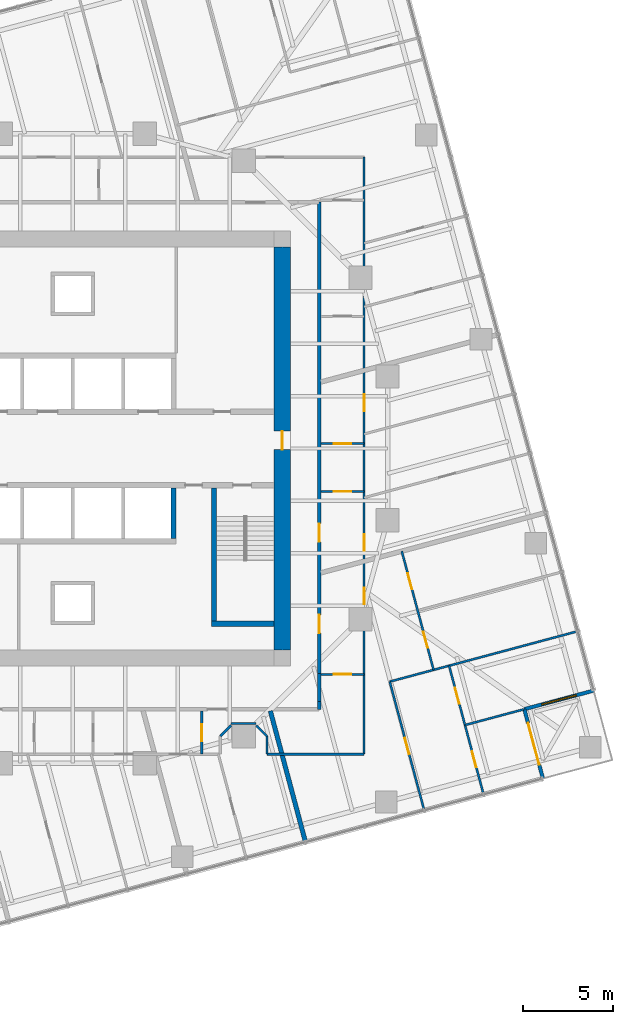
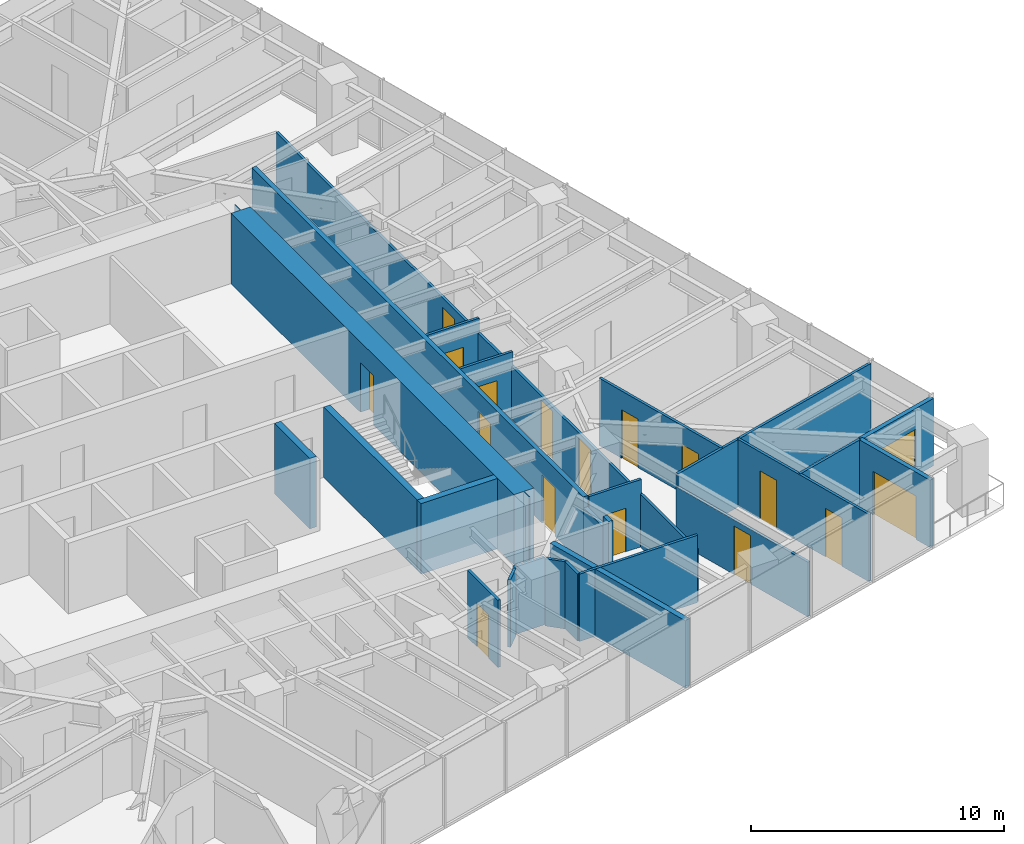
# One storey, part 10 of 14: 25 walls, 16 doors, 1 window, 17 openings.
"""IFC4 building model written with IfcOpenShell, lengths in metres."""

from ifc_helpers import new_model, si_unit, direction, frame, frame_2d, origin, place, context, subcontext, project, spatial, polyline, rectangle, outline, extrude, material, layer, layer_set, type_object, element, fill, save


model = new_model("IFC4")

# Units and contexts
model_context = context("Model", 3, precision=1e-05, world=origin(), true_north=direction((0.0, 1.0)))
body_context = subcontext(model_context, "Body", "Model", "MODEL_VIEW")
ifc_project = project(units=[si_unit("LENGTHUNIT", "METRE"), si_unit("AREAUNIT", "SQUARE_METRE"), si_unit("VOLUMEUNIT", "CUBIC_METRE"), si_unit("PLANEANGLEUNIT", "RADIAN"), si_unit("MASSUNIT", "GRAM", prefix="KILO")], contexts=[model_context])

# Site, building, storey
site_placement = place(None, origin())
site = spatial("IfcSite", under=ifc_project, at=site_placement, CompositionType="ELEMENT")
building_placement = place(site_placement, origin())
building = spatial("IfcBuilding", under=site, at=building_placement, Name="Torsade Residences", CompositionType="ELEMENT")
storey_placement = place(building_placement, frame((0.0, 0.0, 121.800048828125)))
storey = spatial("IfcBuildingStorey", under=building, at=storey_placement, Name="L33", CompositionType="ELEMENT", Elevation=121.800048828125)

# Walls
ifc_material_1 = material(Name="Concrete 80 MPa", Category="concrete")
ifc_layer_1 = layer(ifc_material_1, 0.300048828125)
ifc_layer_set_1 = layer_set([ifc_layer_1], Name="Concrete 80 MPa")
wall_type_1 = type_object("IfcWallType", Name="CORE INTERNAL WALL 300", PredefinedType="SHEAR", material=ifc_layer_set_1)
wall_1_placement = place(storey_placement, frame((45.60009765625, 27.800048828125, 0.0), z_axis=(0.0, 0.0, 1.0), x_axis=(0.0, -1.0, 0.0)))
element("IfcWall", 1, at=wall_1_placement, inside=storey, type_object=wall_type_1, Name="Core wall DS0 L33", PredefinedType="SHEAR", context=body_context, shape_type="SweptSolid", body=[
    extrude(rectangle(XDim=2.800048828125, YDim=0.300048828125, at=frame_2d((1.39990234375, 0.0))), origin(), (0.0, 0.0, 1.0), 3.39990234375),
])
wall_2_placement = place(storey_placement, frame((47.85009765625, 27.800048828125, 0.0), z_axis=(0.0, 0.0, 1.0), x_axis=(0.0, -1.0, 0.0)))
element("IfcWall", 2, at=wall_2_placement, inside=storey, type_object=wall_type_1, Name="Core wall ST2W L33", PredefinedType="SHEAR", context=body_context, shape_type="SweptSolid", body=[
    extrude(rectangle(XDim=7.699951171875, YDim=0.300048828125, at=frame_2d((3.85009765625, 0.0))), origin(), (0.0, 0.0, 1.0), 3.39990234375),
])
wall_3_placement = place(storey_placement, frame((51.199951171875, 20.25, 0.0), z_axis=(0.0, 0.0, 1.0), x_axis=(-1.0, 0.0, 0.0)))
element("IfcWall", 3, at=wall_3_placement, inside=storey, type_object=wall_type_1, Name="Core wall ST2S L33", PredefinedType="SHEAR", context=body_context, shape_type="SweptSolid", body=[
    extrude(rectangle(XDim=3.5, YDim=0.300048828125, at=frame_2d((1.75, 0.0))), origin(), (0.0, 0.0, 1.0), 3.39990234375),
])

# Wall, opening, door
ifc_material_2 = material(Name="Concrete 80 MPa", Category="concrete")
ifc_layer_2 = layer(ifc_material_2, 0.89990234375)
ifc_layer_set_2 = layer_set([ifc_layer_2], Name="Concrete 80 MPa")
wall_type_2 = type_object("IfcWallType", Name="CORE WALL 900", PredefinedType="SHEAR", material=ifc_layer_set_2)
wall_4_placement = place(storey_placement, frame((51.64990234375, 18.800048828125, 0.0), z_axis=(0.0, 0.0, 1.0), x_axis=(0.0, 1.0, 0.0)))
wall_4 = element("IfcWall", 4, at=wall_4_placement, inside=storey, type_object=wall_type_2, Name="Core wall E L33", PredefinedType="SHEAR", context=body_context, shape_type="SweptSolid", body=[
    extrude(outline(polyline([(0.0, -0.449951171875), (22.39990234375, -0.449951171875), (22.39990234375, -0.02490234375), (22.849853515625, -0.02490234375), (22.849853515625, 0.02490234375), (22.39990234375, 0.02490234375), (22.39990234375, 0.449951171875), (0.0, 0.449951171875), (0.0, 0.02490234375), (-0.449951171875, 0.02490234375), (-0.449951171875, -0.02490234375), (0.0, -0.02490234375), (0.0, -0.449951171875)])), origin(), (0.0, 0.0, 1.0), 3.39990234375),
])
opening_1_placement = place(wall_4_placement, frame((11.139892578125, 0.0, 0.0)))
opening_1 = element("IfcOpeningElement", 5, at=opening_1_placement, cuts=wall_4, Name="Opening D04", PredefinedType="OPENING", context=body_context, shape_type="SweptSolid", body=[
    extrude(rectangle(XDim=1.02001953125, YDim=2.39990234375, at=frame_2d((0.510009765625, 1.199951171875))), frame((0.0, 0.4599609375, 0.0), z_axis=(0.0, -1.0, 0.0), x_axis=(1.0, 0.0, 0.0)), (0.0, 0.0, 1.0), 0.919921875),
])
ifc_material_3 = material(Name="Steel-framed fire door", Category="steel")
door_type_1 = type_object("IfcDoorType", Name="LOBBY SMOKE DOOR 1020x2400", OperationType="NOTDEFINED", PredefinedType="DOOR", material=ifc_material_3)
door_1_placement = place(opening_1_placement, origin())
door_1 = element("IfcDoor", 6, at=door_1_placement, inside=storey, type_object=door_type_1, Name="Lift lobby door E L33", OperationType="SINGLE_SWING_LEFT", OverallHeight=2.39990234375, OverallWidth=1.02001953125, PredefinedType="DOOR", context=body_context, shape_type="SweptSolid", body=[
    extrude(rectangle(XDim=1.02001953125, YDim=2.39990234375, at=frame_2d((0.510009765625, 1.199951171875))), frame((0.0, 0.02490234375, 0.0), z_axis=(0.0, -1.0, 0.0), x_axis=(1.0, 0.0, 0.0)), (0.0, 0.0, 1.0), 0.050048828125),
])
fill(opening_1, door_1)

# Walls
ifc_material_4 = material(Name="Plasterboard on steel stud", Category="steel")
ifc_layer_3 = layer(ifc_material_4, 0.199951171875)
ifc_layer_set_3 = layer_set([ifc_layer_3], Name="Plasterboard on steel stud")
wall_type_3 = type_object("IfcWallType", Name="CORRIDOR WALL 200", PredefinedType="PARTITIONING", material=ifc_layer_set_3)
wall_5_placement = place(storey_placement, frame((53.699951171875, 15.5, 0.0), z_axis=(0.0, 0.0, 1.0), x_axis=(0.0, 1.0, 0.0)))
element("IfcWall", 7, at=wall_5_placement, inside=storey, type_object=wall_type_3, Name="Corridor wall L33", PredefinedType="PARTITIONING", context=body_context, shape_type="SweptSolid", body=[
    extrude(rectangle(XDim=0.426025390625, YDim=0.199951171875, at=frame_2d((0.212890625, 0.0))), origin(), (0.0, 0.0, 1.0), 3.25),
])
wall_6_placement = place(storey_placement, frame((53.699951171875, 15.926025390625, 0.0), z_axis=(0.0, 0.0, 1.0), x_axis=(0.0, 1.0, 0.0)))
element("IfcWall", 8, at=wall_6_placement, inside=storey, type_object=wall_type_3, Name="Corridor wall L33", PredefinedType="PARTITIONING", context=body_context, shape_type="SweptSolid", body=[
    extrude(rectangle(XDim=1.553955078125, YDim=0.199951171875, at=frame_2d((0.77685546875, 0.0))), origin(), (0.0, 0.0, 1.0), 2.721923828125),
])

# Wall, openings, doors
wall_7_placement = place(storey_placement, frame((53.699951171875, 17.47998046875, 0.0), z_axis=(0.0, 0.0, 1.0), x_axis=(0.0, 1.0, 0.0)))
wall_7 = element("IfcWall", 9, at=wall_7_placement, inside=storey, type_object=wall_type_3, Name="Corridor wall L33", PredefinedType="PARTITIONING", context=body_context, shape_type="SweptSolid", body=[
    extrude(rectangle(XDim=26.219970703125, YDim=0.199951171875, at=frame_2d((13.10986328125, 0.0))), origin(), (0.0, 0.0, 1.0), 3.25),
])
opening_2_placement = place(wall_7_placement, frame((2.251708984375, 0.0, 0.0)))
opening_2 = element("IfcOpeningElement", 10, at=opening_2_placement, cuts=wall_7, Name="Opening D01", PredefinedType="OPENING", context=body_context, shape_type="SweptSolid", body=[
    extrude(rectangle(XDim=1.02001953125, YDim=2.340087890625, at=frame_2d((0.510009765625, 1.169921875))), frame((0.0, 0.10986328125, 0.0), z_axis=(0.0, -1.0, 0.0), x_axis=(1.0, 0.0, 0.0)), (0.0, 0.0, 1.0), 0.219970703125),
])
opening_3_placement = place(wall_7_placement, frame((7.32763671875, 0.0, 0.0)))
opening_3 = element("IfcOpeningElement", 11, at=opening_3_placement, cuts=wall_7, Name="Opening D01", PredefinedType="OPENING", context=body_context, shape_type="SweptSolid", body=[
    extrude(rectangle(XDim=1.02001953125, YDim=2.340087890625, at=frame_2d((0.510009765625, 1.169921875))), frame((0.0, 0.10986328125, 0.0), z_axis=(0.0, -1.0, 0.0), x_axis=(1.0, 0.0, 0.0)), (0.0, 0.0, 1.0), 0.219970703125),
])
ifc_material_5 = material(Name="Solid-core timber fire door", Category="wood")
door_type_2 = type_object("IfcDoorType", Name="APARTMENT ENTRY DOOR 1020x2340", OperationType="NOTDEFINED", PredefinedType="DOOR", material=ifc_material_5)
door_2_placement = place(opening_2_placement, origin())
door_2 = element("IfcDoor", 12, at=door_2_placement, inside=storey, type_object=door_type_2, Name="Door Residential corridor to Kitchen and dining", OperationType="SINGLE_SWING_LEFT", OverallHeight=2.340087890625, OverallWidth=1.02001953125, PredefinedType="DOOR", context=body_context, shape_type="SweptSolid", body=[
    extrude(rectangle(XDim=1.02001953125, YDim=2.340087890625, at=frame_2d((0.510009765625, 1.169921875))), frame((0.0, 0.02490234375, 0.0), z_axis=(0.0, -1.0, 0.0), x_axis=(1.0, 0.0, 0.0)), (0.0, 0.0, 1.0), 0.050048828125),
])
fill(opening_2, door_2)
door_3_placement = place(opening_3_placement, origin())
door_3 = element("IfcDoor", 13, at=door_3_placement, inside=storey, type_object=door_type_2, Name="Door Residential corridor to Kitchen and dining", OperationType="SINGLE_SWING_LEFT", OverallHeight=2.340087890625, OverallWidth=1.02001953125, PredefinedType="DOOR", context=body_context, shape_type="SweptSolid", body=[
    extrude(rectangle(XDim=1.02001953125, YDim=2.340087890625, at=frame_2d((0.510009765625, 1.169921875))), frame((0.0, 0.02490234375, 0.0), z_axis=(0.0, -1.0, 0.0), x_axis=(1.0, 0.0, 0.0)), (0.0, 0.0, 1.0), 0.050048828125),
])
fill(opening_3, door_3)

# Wall, opening, door
ifc_material_6 = material(Name="Plasterboard on steel stud", Category="steel")
ifc_layer_4 = layer(ifc_material_6, 0.1201171875)
ifc_layer_set_4 = layer_set([ifc_layer_4], Name="Plasterboard on steel stud")
wall_type_4 = type_object("IfcWallType", Name="PARTITION 120", PredefinedType="PARTITIONING", material=ifc_layer_set_4)
wall_8_placement = place(storey_placement, frame((47.1669921875, 13.0, 0.0), z_axis=(0.0, 0.0, 1.0), x_axis=(0.0, 1.0, 0.0)))
wall_8 = element("IfcWall", 14, at=wall_8_placement, inside=storey, type_object=wall_type_4, Name="Partition L33", PredefinedType="PARTITIONING", context=body_context, shape_type="SweptSolid", body=[
    extrude(rectangle(XDim=2.39990234375, YDim=0.1201171875, at=frame_2d((1.199951171875, 0.0))), origin(), (0.0, 0.0, 1.0), 3.25),
])
opening_4_placement = place(wall_8_placement, frame((0.719970703125, 0.0, 0.0)))
opening_4 = element("IfcOpeningElement", 15, at=opening_4_placement, cuts=wall_8, Name="Opening D05", PredefinedType="OPENING", context=body_context, shape_type="SweptSolid", body=[
    extrude(rectangle(XDim=0.9599609375, YDim=2.10009765625, at=frame_2d((0.47998046875, 1.050048828125))), frame((0.0, 0.070068359375, 0.0), z_axis=(0.0, -1.0, 0.0), x_axis=(1.0, 0.0, 0.0)), (0.0, 0.0, 1.0), 0.14013671875),
])
ifc_material_7 = material(Name="Hollow-core timber door in a steel cavity frame", Category="steel")
door_type_3 = type_object("IfcDoorType", Name="BATHROOM CAVITY SLIDING DOOR 960", OperationType="SLIDING_TO_LEFT", PredefinedType="DOOR", material=ifc_material_7)
door_4_placement = place(opening_4_placement, origin())
door_4 = element("IfcDoor", 16, at=door_4_placement, inside=storey, type_object=door_type_3, Name="Door Kitchen and dining to Bathroom", OperationType="SLIDING_TO_LEFT", OverallHeight=2.10009765625, OverallWidth=0.9599609375, PredefinedType="DOOR", context=body_context, shape_type="SweptSolid", body=[
    extrude(rectangle(XDim=0.9599609375, YDim=2.10009765625, at=frame_2d((0.47998046875, 1.050048828125))), frame((0.0, 0.02490234375, 0.0), z_axis=(0.0, -1.0, 0.0), x_axis=(1.0, 0.0, 0.0)), (0.0, 0.0, 1.0), 0.050048828125),
])
fill(opening_4, door_4)

# Walls
wall_9_placement = place(storey_placement, frame((56.199951171875, 13.0, 0.0), z_axis=(0.0, 0.0, 1.0), x_axis=(-1.0, 0.0, 0.0)))
element("IfcWall", 17, at=wall_9_placement, inside=storey, type_object=wall_type_4, Name="Partition L33", PredefinedType="PARTITIONING", context=body_context, shape_type="SweptSolid", body=[
    extrude(rectangle(XDim=5.39990234375, YDim=0.1201171875, at=frame_2d((2.699951171875, 0.0))), origin(), (0.0, 0.0, 1.0), 3.25),
])
wall_10_placement = place(storey_placement, frame((50.800048828125, 13.0, 0.0), z_axis=(0.0, 0.0, 1.0), x_axis=(0.0, 1.0, 0.0)))
element("IfcWall", 18, at=wall_10_placement, inside=storey, type_object=wall_type_4, Name="Partition L33", PredefinedType="PARTITIONING", context=body_context, shape_type="SweptSolid", body=[
    extrude(rectangle(XDim=1.0, YDim=0.1201171875, at=frame_2d((0.5, 0.0))), origin(), (0.0, 0.0, 1.0), 3.25),
])
wall_11_placement = place(storey_placement, frame((50.800048828125, 14.0, 0.0), z_axis=(0.0, 0.0, 1.0), x_axis=(-0.707106781187, 0.707106781187, 0.0)))
element("IfcWall", 19, at=wall_11_placement, inside=storey, type_object=wall_type_4, Name="Partition L33", PredefinedType="PARTITIONING", context=body_context, shape_type="SweptSolid", body=[
    extrude(rectangle(XDim=0.8486328125, YDim=0.1201171875, at=frame_2d((0.42431640625, 0.0))), origin(), (0.0, 0.0, 1.0), 3.25),
])
wall_12_placement = place(storey_placement, frame((50.199951171875, 14.699951171875, 0.0), z_axis=(0.0, 0.0, 1.0), x_axis=(-1.0, 0.0, 0.0)))
element("IfcWall", 20, at=wall_12_placement, inside=storey, type_object=wall_type_4, Name="Partition L33", PredefinedType="PARTITIONING", context=body_context, shape_type="SweptSolid", body=[
    extrude(rectangle(XDim=1.39990234375, YDim=0.1201171875, at=frame_2d((0.699951171875, 0.0))), origin(), (0.0, 0.0, 1.0), 3.25),
])
wall_13_placement = place(storey_placement, frame((48.800048828125, 14.60009765625, 0.0), z_axis=(0.0, 0.0, 1.0), x_axis=(-0.707106781187, -0.707106781187, 0.0)))
element("IfcWall", 21, at=wall_13_placement, inside=storey, type_object=wall_type_4, Name="Partition L33", PredefinedType="PARTITIONING", context=body_context, shape_type="SweptSolid", body=[
    extrude(rectangle(XDim=0.8486328125, YDim=0.1201171875, at=frame_2d((0.42431640625, 0.0))), origin(), (0.0, 0.0, 1.0), 3.25),
])

# Wall, opening, door
wall_14_placement = place(storey_placement, frame((56.199951171875, 17.441650390625, 0.0), z_axis=(0.0, 0.0, 1.0), x_axis=(-1.0, 0.0, 0.0)))
wall_14 = element("IfcWall", 22, at=wall_14_placement, inside=storey, type_object=wall_type_4, Name="Partition L33", PredefinedType="PARTITIONING", context=body_context, shape_type="SweptSolid", body=[
    extrude(rectangle(XDim=2.39990234375, YDim=0.1201171875, at=frame_2d((1.199951171875, 0.0))), origin(), (0.0, 0.0, 1.0), 3.25),
])
opening_5_placement = place(wall_14_placement, frame((0.719970703125, 0.0, 0.0)))
opening_5 = element("IfcOpeningElement", 23, at=opening_5_placement, cuts=wall_14, Name="Opening D05", PredefinedType="OPENING", context=body_context, shape_type="SweptSolid", body=[
    extrude(rectangle(XDim=0.9599609375, YDim=2.10009765625, at=frame_2d((0.47998046875, 1.050048828125))), frame((0.0, 0.070068359375, 0.0), z_axis=(0.0, -1.0, 0.0), x_axis=(1.0, 0.0, 0.0)), (0.0, 0.0, 1.0), 0.14013671875),
])
door_5_placement = place(opening_5_placement, origin())
door_5 = element("IfcDoor", 24, at=door_5_placement, inside=storey, type_object=door_type_3, Name="Door Kitchen and dining to Bathroom", OperationType="SLIDING_TO_LEFT", OverallHeight=2.10009765625, OverallWidth=0.9599609375, PredefinedType="DOOR", context=body_context, shape_type="SweptSolid", body=[
    extrude(rectangle(XDim=0.9599609375, YDim=2.10009765625, at=frame_2d((0.47998046875, 1.050048828125))), frame((0.0, 0.02490234375, 0.0), z_axis=(0.0, -1.0, 0.0), x_axis=(1.0, 0.0, 0.0)), (0.0, 0.0, 1.0), 0.050048828125),
])
fill(opening_5, door_5)

# Wall, openings, doors
wall_15_placement = place(storey_placement, frame((56.199951171875, 46.199951171875, 0.0), z_axis=(0.0, 0.0, 1.0), x_axis=(0.0, -1.0, 0.0)))
wall_15 = element("IfcWall", 25, at=wall_15_placement, inside=storey, type_object=wall_type_4, Name="Partition L33", PredefinedType="PARTITIONING", context=body_context, shape_type="SweptSolid", body=[
    extrude(rectangle(XDim=33.199951171875, YDim=0.1201171875, at=frame_2d((16.60009765625, 0.0))), origin(), (0.0, 0.0, 1.0), 2.550048828125),
])
opening_6_placement = place(wall_15_placement, frame((23.95458984375, 0.0, 0.0)))
opening_6 = element("IfcOpeningElement", 26, at=opening_6_placement, cuts=wall_15, Name="Opening D02", PredefinedType="OPENING", context=body_context, shape_type="SweptSolid", body=[
    extrude(rectangle(XDim=0.919921875, YDim=2.340087890625, at=frame_2d((0.4599609375, 1.169921875))), frame((0.0, 0.070068359375, 0.0), z_axis=(0.0, -1.0, 0.0), x_axis=(1.0, 0.0, 0.0)), (0.0, 0.0, 1.0), 0.14013671875),
])
opening_7_placement = place(wall_15_placement, frame((20.96630859375, 0.0, 0.0)))
opening_7 = element("IfcOpeningElement", 27, at=opening_7_placement, cuts=wall_15, Name="Opening D02", PredefinedType="OPENING", context=body_context, shape_type="SweptSolid", body=[
    extrude(rectangle(XDim=0.919921875, YDim=2.340087890625, at=frame_2d((0.4599609375, 1.169921875))), frame((0.0, 0.070068359375, 0.0), z_axis=(0.0, -1.0, 0.0), x_axis=(1.0, 0.0, 0.0)), (0.0, 0.0, 1.0), 0.14013671875),
])
opening_8_placement = place(wall_15_placement, frame((13.173828125, 0.0, 0.0)))
opening_8 = element("IfcOpeningElement", 28, at=opening_8_placement, cuts=wall_15, Name="Opening D05", PredefinedType="OPENING", context=body_context, shape_type="SweptSolid", body=[
    extrude(rectangle(XDim=0.9599609375, YDim=2.10009765625, at=frame_2d((0.47998046875, 1.050048828125))), frame((0.0, 0.070068359375, 0.0), z_axis=(0.0, -1.0, 0.0), x_axis=(1.0, 0.0, 0.0)), (0.0, 0.0, 1.0), 0.14013671875),
])
door_6_placement = place(opening_8_placement, origin())
door_6 = element("IfcDoor", 29, at=door_6_placement, inside=storey, type_object=door_type_3, Name="Door Bathroom to Bedroom 2", OperationType="SLIDING_TO_LEFT", OverallHeight=2.10009765625, OverallWidth=0.9599609375, PredefinedType="DOOR", context=body_context, shape_type="SweptSolid", body=[
    extrude(rectangle(XDim=0.9599609375, YDim=2.10009765625, at=frame_2d((0.47998046875, 1.050048828125))), frame((0.0, 0.02490234375, 0.0), z_axis=(0.0, -1.0, 0.0), x_axis=(1.0, 0.0, 0.0)), (0.0, 0.0, 1.0), 0.050048828125),
])
fill(opening_8, door_6)
ifc_material_8 = material(Name="Hollow-core timber door", Category="wood")
door_type_4 = type_object("IfcDoorType", Name="INTERNAL DOOR 920x2340", OperationType="NOTDEFINED", PredefinedType="DOOR", material=ifc_material_8)
door_7_placement = place(opening_6_placement, origin())
door_7 = element("IfcDoor", 30, at=door_7_placement, inside=storey, type_object=door_type_4, Name="Door Kitchen and dining to Living room", OperationType="SINGLE_SWING_RIGHT", OverallHeight=2.340087890625, OverallWidth=0.919921875, PredefinedType="DOOR", context=body_context, shape_type="SweptSolid", body=[
    extrude(rectangle(XDim=0.919921875, YDim=2.340087890625, at=frame_2d((0.4599609375, 1.169921875))), frame((0.0, 0.02490234375, 0.0), z_axis=(0.0, -1.0, 0.0), x_axis=(1.0, 0.0, 0.0)), (0.0, 0.0, 1.0), 0.050048828125),
])
fill(opening_6, door_7)
door_8_placement = place(opening_7_placement, origin())
door_8 = element("IfcDoor", 31, at=door_8_placement, inside=storey, type_object=door_type_4, Name="Door Kitchen and dining to Living room", OperationType="SINGLE_SWING_RIGHT", OverallHeight=2.340087890625, OverallWidth=0.919921875, PredefinedType="DOOR", context=body_context, shape_type="SweptSolid", body=[
    extrude(rectangle(XDim=0.919921875, YDim=2.340087890625, at=frame_2d((0.4599609375, 1.169921875))), frame((0.0, 0.02490234375, 0.0), z_axis=(0.0, -1.0, 0.0), x_axis=(1.0, 0.0, 0.0)), (0.0, 0.0, 1.0), 0.050048828125),
])
fill(opening_7, door_8)

wall_16_placement = place(storey_placement, frame((58.2919921875, 24.289794921875, 0.0), z_axis=(0.0, 0.0, 1.0), x_axis=(0.258809899302, -0.965928276853, 0.0)))
wall_16 = element("IfcWall", 32, at=wall_16_placement, inside=storey, type_object=wall_type_4, Name="Partition L33", PredefinedType="PARTITIONING", context=body_context, shape_type="SweptSolid", body=[
    extrude(rectangle(XDim=6.83349609375, YDim=0.1201171875, at=frame_2d((3.416748046875, 0.0))), origin(), (0.0, 0.0, 1.0), 3.25),
])
opening_9_placement = place(wall_16_placement, frame((1.2734375, 0.0, 0.0)))
opening_9 = element("IfcOpeningElement", 33, at=opening_9_placement, cuts=wall_16, Name="Opening D02", PredefinedType="OPENING", context=body_context, shape_type="SweptSolid", body=[
    extrude(rectangle(XDim=0.919921875, YDim=2.340087890625, at=frame_2d((0.4599609375, 1.169921875))), frame((0.0, 0.070068359375, 0.0), z_axis=(0.0, -1.0, 0.0), x_axis=(1.0, 0.0, 0.0)), (0.0, 0.0, 1.0), 0.14013671875),
])
opening_10_placement = place(wall_16_placement, frame((4.639892578125, 0.0, 0.0)))
opening_10 = element("IfcOpeningElement", 34, at=opening_10_placement, cuts=wall_16, Name="Opening D02", PredefinedType="OPENING", context=body_context, shape_type="SweptSolid", body=[
    extrude(rectangle(XDim=0.919921875, YDim=2.340087890625, at=frame_2d((0.4599609375, 1.169921875))), frame((0.0, 0.070068359375, 0.0), z_axis=(0.0, -1.0, 0.0), x_axis=(1.0, 0.0, 0.0)), (0.0, 0.0, 1.0), 0.14013671875),
])
door_9_placement = place(opening_9_placement, origin())
door_9 = element("IfcDoor", 35, at=door_9_placement, inside=storey, type_object=door_type_4, Name="Door Living room to Bedroom 1", OperationType="SINGLE_SWING_LEFT", OverallHeight=2.340087890625, OverallWidth=0.919921875, PredefinedType="DOOR", context=body_context, shape_type="SweptSolid", body=[
    extrude(rectangle(XDim=0.919921875, YDim=2.340087890625, at=frame_2d((0.4599609375, 1.169921875))), frame((0.0, 0.02490234375, 0.0), z_axis=(0.0, -1.0, 0.0), x_axis=(1.0, 0.0, 0.0)), (0.0, 0.0, 1.0), 0.050048828125),
])
fill(opening_9, door_9)
door_10_placement = place(opening_10_placement, origin())
door_10 = element("IfcDoor", 36, at=door_10_placement, inside=storey, type_object=door_type_4, Name="Door Living room to Bedroom 2", OperationType="SINGLE_SWING_LEFT", OverallHeight=2.340087890625, OverallWidth=0.919921875, PredefinedType="DOOR", context=body_context, shape_type="SweptSolid", body=[
    extrude(rectangle(XDim=0.919921875, YDim=2.340087890625, at=frame_2d((0.4599609375, 1.169921875))), frame((0.0, 0.02490234375, 0.0), z_axis=(0.0, -1.0, 0.0), x_axis=(1.0, 0.0, 0.0)), (0.0, 0.0, 1.0), 0.050048828125),
])
fill(opening_10, door_10)

# Wall
wall_17_placement = place(storey_placement, frame((68.048095703125, 19.82958984375, 0.0), z_axis=(0.0, 0.0, 1.0), x_axis=(-0.965921496576, -0.258835203272, 0.0)))
element("IfcWall", 37, at=wall_17_placement, inside=storey, type_object=wall_type_4, Name="Partition L33", PredefinedType="PARTITIONING", context=body_context, shape_type="SweptSolid", body=[
    extrude(rectangle(XDim=10.79345703125, YDim=0.1201171875, at=frame_2d((5.396728515625, 0.0))), origin(), (0.0, 0.0, 1.0), 3.25),
])

# Wall, opening, door
wall_18_placement = place(storey_placement, frame((57.62255859375, 17.035888671875, 0.0), z_axis=(0.0, 0.0, 1.0), x_axis=(0.258816044185, -0.965926630377, 0.0)))
wall_18 = element("IfcWall", 38, at=wall_18_placement, inside=storey, type_object=wall_type_4, Name="Partition L33", PredefinedType="PARTITIONING", context=body_context, shape_type="SweptSolid", body=[
    extrude(rectangle(XDim=7.376708984375, YDim=0.1201171875, at=frame_2d((3.6884765625, 0.0))), origin(), (0.0, 0.0, 1.0), 2.637939453125),
])
opening_11_placement = place(wall_18_placement, frame((3.248291015625, 0.0, 0.0)))
opening_11 = element("IfcOpeningElement", 39, at=opening_11_placement, cuts=wall_18, Name="Opening D02", PredefinedType="OPENING", context=body_context, shape_type="SweptSolid", body=[
    extrude(rectangle(XDim=0.919921875, YDim=2.340087890625, at=frame_2d((0.4599609375, 1.169921875))), frame((0.0, 0.070068359375, 0.0), z_axis=(0.0, -1.0, 0.0), x_axis=(1.0, 0.0, 0.0)), (0.0, 0.0, 1.0), 0.14013671875),
])
door_11_placement = place(opening_11_placement, origin())
door_11 = element("IfcDoor", 40, at=door_11_placement, inside=storey, type_object=door_type_4, Name="Door Living room to Bedroom 3", OperationType="SINGLE_SWING_RIGHT", OverallHeight=2.340087890625, OverallWidth=0.919921875, PredefinedType="DOOR", context=body_context, shape_type="SweptSolid", body=[
    extrude(rectangle(XDim=0.919921875, YDim=2.340087890625, at=frame_2d((0.4599609375, 1.169921875))), frame((0.0, 0.02490234375, 0.0), z_axis=(0.0, -1.0, 0.0), x_axis=(1.0, 0.0, 0.0)), (0.0, 0.0, 1.0), 0.050048828125),
])
fill(opening_11, door_11)

# Wall, openings, doors
wall_19_placement = place(storey_placement, frame((60.922607421875, 17.920166015625, 0.0), z_axis=(0.0, 0.0, 1.0), x_axis=(0.258846923464, -0.965918355874, 0.0)))
wall_19 = element("IfcWall", 41, at=wall_19_placement, inside=storey, type_object=wall_type_4, Name="Partition L33", PredefinedType="PARTITIONING", context=body_context, shape_type="SweptSolid", body=[
    extrude(rectangle(XDim=7.376708984375, YDim=0.1201171875, at=frame_2d((3.6884765625, 0.0))), origin(), (0.0, 0.0, 1.0), 3.25),
])
opening_12_placement = place(wall_19_placement, frame((4.931640625, 0.0, 0.0)))
opening_12 = element("IfcOpeningElement", 42, at=opening_12_placement, cuts=wall_19, Name="Opening D02", PredefinedType="OPENING", context=body_context, shape_type="SweptSolid", body=[
    extrude(rectangle(XDim=0.919921875, YDim=2.340087890625, at=frame_2d((0.4599609375, 1.169921875))), frame((0.0, 0.070068359375, 0.0), z_axis=(0.0, -1.0, 0.0), x_axis=(1.0, 0.0, 0.0)), (0.0, 0.0, 1.0), 0.14013671875),
])
opening_13_placement = place(wall_19_placement, frame((1.2734375, 0.0, 0.0)))
opening_13 = element("IfcOpeningElement", 43, at=opening_13_placement, cuts=wall_19, Name="Opening D02", PredefinedType="OPENING", context=body_context, shape_type="SweptSolid", body=[
    extrude(rectangle(XDim=0.919921875, YDim=2.340087890625, at=frame_2d((0.4599609375, 1.169921875))), frame((0.0, 0.070068359375, 0.0), z_axis=(0.0, -1.0, 0.0), x_axis=(1.0, 0.0, 0.0)), (0.0, 0.0, 1.0), 0.14013671875),
])
door_12_placement = place(opening_12_placement, origin())
door_12 = element("IfcDoor", 44, at=door_12_placement, inside=storey, type_object=door_type_4, Name="Door Bedroom 3 to Family room", OperationType="SINGLE_SWING_LEFT", OverallHeight=2.340087890625, OverallWidth=0.919921875, PredefinedType="DOOR", context=body_context, shape_type="SweptSolid", body=[
    extrude(rectangle(XDim=0.919921875, YDim=2.340087890625, at=frame_2d((0.4599609375, 1.169921875))), frame((0.0, 0.02490234375, 0.0), z_axis=(0.0, -1.0, 0.0), x_axis=(1.0, 0.0, 0.0)), (0.0, 0.0, 1.0), 0.050048828125),
])
fill(opening_12, door_12)
door_13_placement = place(opening_13_placement, origin())
door_13 = element("IfcDoor", 45, at=door_13_placement, inside=storey, type_object=door_type_4, Name="Door Bedroom 3 to Study", OperationType="SINGLE_SWING_RIGHT", OverallHeight=2.340087890625, OverallWidth=0.919921875, PredefinedType="DOOR", context=body_context, shape_type="SweptSolid", body=[
    extrude(rectangle(XDim=0.919921875, YDim=2.340087890625, at=frame_2d((0.4599609375, 1.169921875))), frame((0.0, 0.02490234375, 0.0), z_axis=(0.0, -1.0, 0.0), x_axis=(1.0, 0.0, 0.0)), (0.0, 0.0, 1.0), 0.050048828125),
])
fill(opening_13, door_13)

# Wall
wall_20_placement = place(storey_placement, frame((65.068603515625, 15.493896484375, 0.0), z_axis=(0.0, 0.0, 1.0), x_axis=(-0.96593546512, -0.258783069815, 0.0)))
element("IfcWall", 46, at=wall_20_placement, inside=storey, type_object=wall_type_4, Name="Partition L33", PredefinedType="PARTITIONING", context=body_context, shape_type="SweptSolid", body=[
    extrude(rectangle(XDim=3.37646484375, YDim=0.1201171875, at=frame_2d((1.688232421875, 0.0))), origin(), (0.0, 0.0, 1.0), 3.25),
])

# Wall, opening, door
wall_21_placement = place(storey_placement, frame((53.800048828125, 27.611083984375, 0.0), z_axis=(0.0, 0.0, 1.0), x_axis=(1.0, 0.0, 0.0)))
wall_21 = element("IfcWall", 47, at=wall_21_placement, inside=storey, type_object=wall_type_4, Name="Partition L33", PredefinedType="PARTITIONING", context=body_context, shape_type="SweptSolid", body=[
    extrude(rectangle(XDim=2.39990234375, YDim=0.1201171875, at=frame_2d((1.199951171875, 0.0))), origin(), (0.0, 0.0, 1.0), 3.25),
])
opening_14_placement = place(wall_21_placement, frame((0.719970703125, 0.0, 0.0)))
opening_14 = element("IfcOpeningElement", 48, at=opening_14_placement, cuts=wall_21, Name="Opening D05", PredefinedType="OPENING", context=body_context, shape_type="SweptSolid", body=[
    extrude(rectangle(XDim=0.9599609375, YDim=2.10009765625, at=frame_2d((0.47998046875, 1.050048828125))), frame((0.0, 0.070068359375, 0.0), z_axis=(0.0, -1.0, 0.0), x_axis=(1.0, 0.0, 0.0)), (0.0, 0.0, 1.0), 0.14013671875),
])
door_14_placement = place(opening_14_placement, origin())
door_14 = element("IfcDoor", 49, at=door_14_placement, inside=storey, type_object=door_type_3, Name="Door Kitchen and dining to Ensuite", OperationType="SLIDING_TO_LEFT", OverallHeight=2.10009765625, OverallWidth=0.9599609375, PredefinedType="DOOR", context=body_context, shape_type="SweptSolid", body=[
    extrude(rectangle(XDim=0.9599609375, YDim=2.10009765625, at=frame_2d((0.47998046875, 1.050048828125))), frame((0.0, 0.02490234375, 0.0), z_axis=(0.0, -1.0, 0.0), x_axis=(1.0, 0.0, 0.0)), (0.0, 0.0, 1.0), 0.050048828125),
])
fill(opening_14, door_14)

wall_22_placement = place(storey_placement, frame((56.199951171875, 30.272216796875, 0.0), z_axis=(0.0, 0.0, 1.0), x_axis=(-1.0, 0.0, 0.0)))
wall_22 = element("IfcWall", 50, at=wall_22_placement, inside=storey, type_object=wall_type_4, Name="Partition L33", PredefinedType="PARTITIONING", context=body_context, shape_type="SweptSolid", body=[
    extrude(rectangle(XDim=2.39990234375, YDim=0.1201171875, at=frame_2d((1.199951171875, 0.0))), origin(), (0.0, 0.0, 1.0), 3.25),
])
opening_15_placement = place(wall_22_placement, frame((0.719970703125, 0.0, 0.0)))
opening_15 = element("IfcOpeningElement", 51, at=opening_15_placement, cuts=wall_22, Name="Opening D05", PredefinedType="OPENING", context=body_context, shape_type="SweptSolid", body=[
    extrude(rectangle(XDim=0.9599609375, YDim=2.10009765625, at=frame_2d((0.47998046875, 1.050048828125))), frame((0.0, 0.070068359375, 0.0), z_axis=(0.0, -1.0, 0.0), x_axis=(1.0, 0.0, 0.0)), (0.0, 0.0, 1.0), 0.14013671875),
])
door_15_placement = place(opening_15_placement, origin())
door_15 = element("IfcDoor", 52, at=door_15_placement, inside=storey, type_object=door_type_3, Name="Door Ensuite to Bathroom", OperationType="SLIDING_TO_LEFT", OverallHeight=2.10009765625, OverallWidth=0.9599609375, PredefinedType="DOOR", context=body_context, shape_type="SweptSolid", body=[
    extrude(rectangle(XDim=0.9599609375, YDim=2.10009765625, at=frame_2d((0.47998046875, 1.050048828125))), frame((0.0, 0.02490234375, 0.0), z_axis=(0.0, -1.0, 0.0), x_axis=(1.0, 0.0, 0.0)), (0.0, 0.0, 1.0), 0.050048828125),
])
fill(opening_15, door_15)

# Wall
ifc_material_9 = material(Name="Masonry-lined stud party wall", Category="masonry")
ifc_layer_5 = layer(ifc_material_9, 0.25)
ifc_layer_set_5 = layer_set([ifc_layer_5], Name="Masonry-lined stud party wall")
wall_type_5 = type_object("IfcWallType", Name="PARTY WALL 250", PredefinedType="PARTITIONING", material=ifc_layer_set_5)
wall_23_placement = place(storey_placement, frame((52.941650390625, 8.103515625, 0.0), z_axis=(0.0, 0.0, 1.0), x_axis=(-0.258822171171, 0.965924988656, 0.0)))
element("IfcWall", 53, at=wall_23_placement, inside=storey, type_object=wall_type_5, Name="Party wall L33", PredefinedType="PARTITIONING", context=body_context, shape_type="SweptSolid", body=[
    extrude(rectangle(XDim=7.560302734375, YDim=0.25, at=frame_2d((3.7802734375, 0.0))), origin(), (0.0, 0.0, 1.0), 3.25),
])

# Wall, opening, door
ifc_material_10 = material(Name="Stone-faced precast concrete 40 MPa panel", Category="masonry")
ifc_layer_6 = layer(ifc_material_10, 0.199951171875)
ifc_layer_set_6 = layer_set([ifc_layer_6], Name="Stone-faced precast concrete 40 MPa panel")
wall_type_6 = type_object("IfcWallType", Name="TERRACE WALL 200", PredefinedType="SOLIDWALL", material=ifc_layer_set_6)
wall_24_placement = place(storey_placement, frame((66.142578125, 11.640625, 0.0), z_axis=(0.0, 0.0, 1.0), x_axis=(-0.258843877716, 0.965919172068, 0.0)))
wall_24 = element("IfcWall", 54, at=wall_24_placement, inside=storey, type_object=wall_type_6, Name="Terrace wall L33 2", PredefinedType="SOLIDWALL", context=body_context, shape_type="SweptSolid", body=[
    extrude(rectangle(XDim=4.0, YDim=0.199951171875, at=frame_2d((2.0, 0.0))), origin(), (0.0, 0.0, 1.0), 3.25),
])
opening_16_placement = place(wall_24_placement, frame((0.800048828125, 0.0, 0.0)))
opening_16 = element("IfcOpeningElement", 55, at=opening_16_placement, cuts=wall_24, Name="Opening D10A", PredefinedType="OPENING", context=body_context, shape_type="SweptSolid", body=[
    extrude(rectangle(XDim=2.39990234375, YDim=2.10009765625, at=frame_2d((1.199951171875, 1.050048828125))), frame((0.0, 0.10986328125, 0.0), z_axis=(0.0, -1.0, 0.0), x_axis=(1.0, 0.0, 0.0)), (0.0, 0.0, 1.0), 0.219970703125),
])
ifc_material_11 = material(Name="Aluminium-framed glass door", Category="aluminium")
door_type_5 = type_object("IfcDoorType", Name="TERRACE SLIDING DOOR 2400x2100", OperationType="SLIDING_TO_LEFT", PredefinedType="DOOR", material=ifc_material_11)
door_16_placement = place(opening_16_placement, origin())
door_16 = element("IfcDoor", 56, at=door_16_placement, inside=storey, type_object=door_type_5, Name="Terrace door L33 2", OperationType="SLIDING_TO_LEFT", OverallHeight=2.10009765625, OverallWidth=2.39990234375, PredefinedType="DOOR", context=body_context, shape_type="SweptSolid", body=[
    extrude(rectangle(XDim=2.39990234375, YDim=2.10009765625, at=frame_2d((1.199951171875, 1.050048828125))), frame((0.0, 0.02490234375, 0.0), z_axis=(0.0, -1.0, 0.0), x_axis=(1.0, 0.0, 0.0)), (0.0, 0.0, 1.0), 0.050048828125),
])
fill(opening_16, door_16)

# Wall, opening, window
wall_25_placement = place(storey_placement, frame((65.107177734375, 15.50439453125, 0.0), z_axis=(0.0, 0.0, 1.0), x_axis=(0.965934430412, 0.258786931944, 0.0)))
wall_25 = element("IfcWall", 57, at=wall_25_placement, inside=storey, type_object=wall_type_6, Name="Terrace wall L33 3", PredefinedType="SOLIDWALL", context=body_context, shape_type="SweptSolid", body=[
    extrude(rectangle(XDim=4.0, YDim=0.199951171875, at=frame_2d((2.0, 0.0))), origin(), (0.0, 0.0, 1.0), 3.25),
])
opening_17_placement = place(wall_25_placement, frame((1.0, 0.0, 0.449951171875)))
opening_17 = element("IfcOpeningElement", 58, at=opening_17_placement, cuts=wall_25, Name="Opening W1B", PredefinedType="OPENING", context=body_context, shape_type="SweptSolid", body=[
    extrude(rectangle(XDim=2.0, YDim=1.800048828125, at=frame_2d((1.0, 0.89990234375))), frame((0.0, 0.10986328125, 0.0), z_axis=(0.0, -1.0, 0.0), x_axis=(1.0, 0.0, 0.0)), (0.0, 0.0, 1.0), 0.219970703125),
])
ifc_material_12 = material(Name="Aluminium-framed glass window", Category="aluminium")
window_type = type_object("IfcWindowType", Name="TERRACE WINDOW 2000x1800", PartitioningType="SINGLE_PANEL", PredefinedType="WINDOW", material=ifc_material_12)
window_placement = place(opening_17_placement, origin())
window = element("IfcWindow", 59, at=window_placement, inside=storey, type_object=window_type, Name="Terrace window L33 3", OverallHeight=1.800048828125, OverallWidth=2.0, PartitioningType="SINGLE_PANEL", PredefinedType="WINDOW", context=body_context, shape_type="SweptSolid", body=[
    extrude(rectangle(XDim=2.0, YDim=1.800048828125, at=frame_2d((1.0, 0.89990234375))), frame((0.0, 0.030029296875, 0.0), z_axis=(0.0, -1.0, 0.0), x_axis=(1.0, 0.0, 0.0)), (0.0, 0.0, 1.0), 0.06005859375),
])
fill(opening_17, window)

save(model, "model.ifc")
